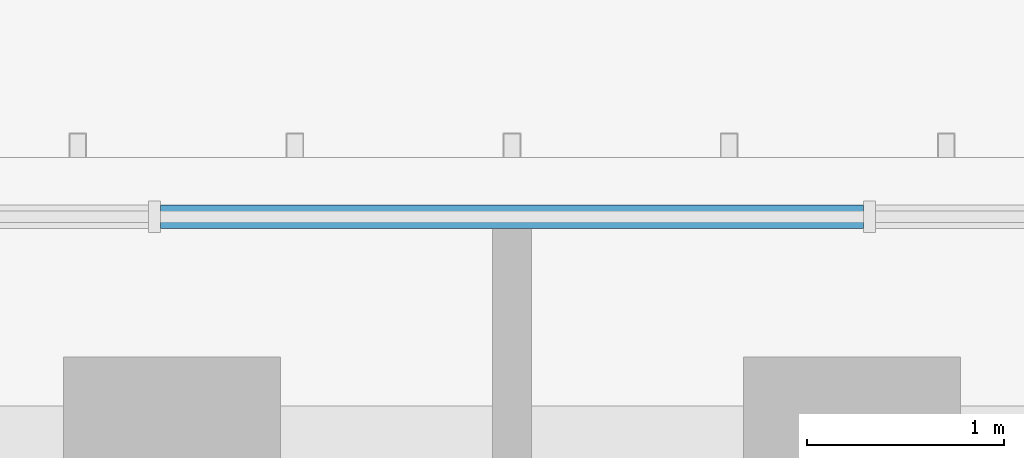
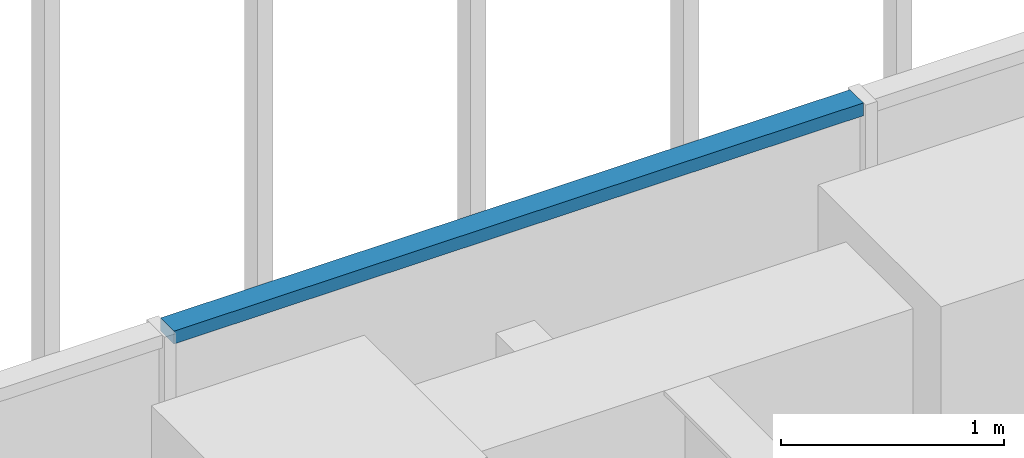
# One storey, part 84 of 127: 1 member, 1 element without a shape of its own.
"""IFC4 building model written with IfcOpenShell, lengths in metres."""

from ifc_helpers import new_model, si_unit, direction, frame, origin, origin_2d, place, context, subcontext, project, spatial, rectangle, extrude, material, material_profile, profile_set, type_object, element, aggregate, save


model = new_model("IFC4")

# Units and contexts
model_context = context("Model", 3, precision=1e-05, world=origin(), true_north=direction((0.0, 1.0)))
body_context = subcontext(model_context, "Body", "Model", "MODEL_VIEW")
ifc_project = project(units=[si_unit("LENGTHUNIT", "METRE"), si_unit("AREAUNIT", "SQUARE_METRE"), si_unit("VOLUMEUNIT", "CUBIC_METRE"), si_unit("PLANEANGLEUNIT", "RADIAN"), si_unit("MASSUNIT", "GRAM", prefix="KILO")], contexts=[model_context])

# Site, building, storey
site_placement = place(None, origin())
site = spatial("IfcSite", under=ifc_project, at=site_placement, CompositionType="ELEMENT")
building_placement = place(site_placement, origin())
building = spatial("IfcBuilding", under=site, at=building_placement, Name="Sandreach Pilgrim Tower", CompositionType="ELEMENT")
storey_placement = place(building_placement, frame((0.0, 0.0, 257.0)))
storey = spatial("IfcBuildingStorey", under=building, at=storey_placement, Name="L64", CompositionType="ELEMENT", Elevation=257.0)

# Curtain wall, member
ifc_material_1 = material(Name="Aluminium framed curtain wall", Category="aluminium")
curtain_wall_type = type_object("IfcCurtainWallType", Name="Suite tower curtain wall", PredefinedType="NOTDEFINED", material=ifc_material_1)
curtain_wall_placement = place(storey_placement, origin())
curtain_wall = element("IfcCurtainWall", 1, at=curtain_wall_placement, inside=storey, type_object=curtain_wall_type, Name="CW-4 L64 N", PredefinedType="NOTDEFINED")
ifc_material_2 = material(Name="Aluminium extrusion", Category="aluminium")
ifc_material_profile = material_profile(ifc_material_2, rectangle(XDim=0.1201171875, YDim=0.070068359375, at=origin_2d()), Name="CW-4T 120X70")
ifc_profile_set = profile_set([ifc_material_profile], Name="Aluminium extrusion")
member_type = type_object("IfcMemberType", Name="CW-4 transom", PredefinedType="USERDEFINED", material=ifc_profile_set)
member_placement = place(storey_placement, frame((-1.781005859375, 19.826416015625, 3.60498046875), z_axis=(1.0, 0.0, 0.0), x_axis=(0.0, 1.0, 0.0)))
member = element("IfcMember", 2, at=member_placement, type_object=member_type, Name="CW-4 head transom 5", ObjectType="TRANSOM", PredefinedType="USERDEFINED", context=body_context, shape_type="SweptSolid", body=[
    extrude(rectangle(XDim=0.1201171875, YDim=0.070068359375, at=origin_2d()), origin(), (0.0, 0.0, 1.0), 3.56201171875),
])
aggregate(curtain_wall, [member])

save(model, "model.ifc")
